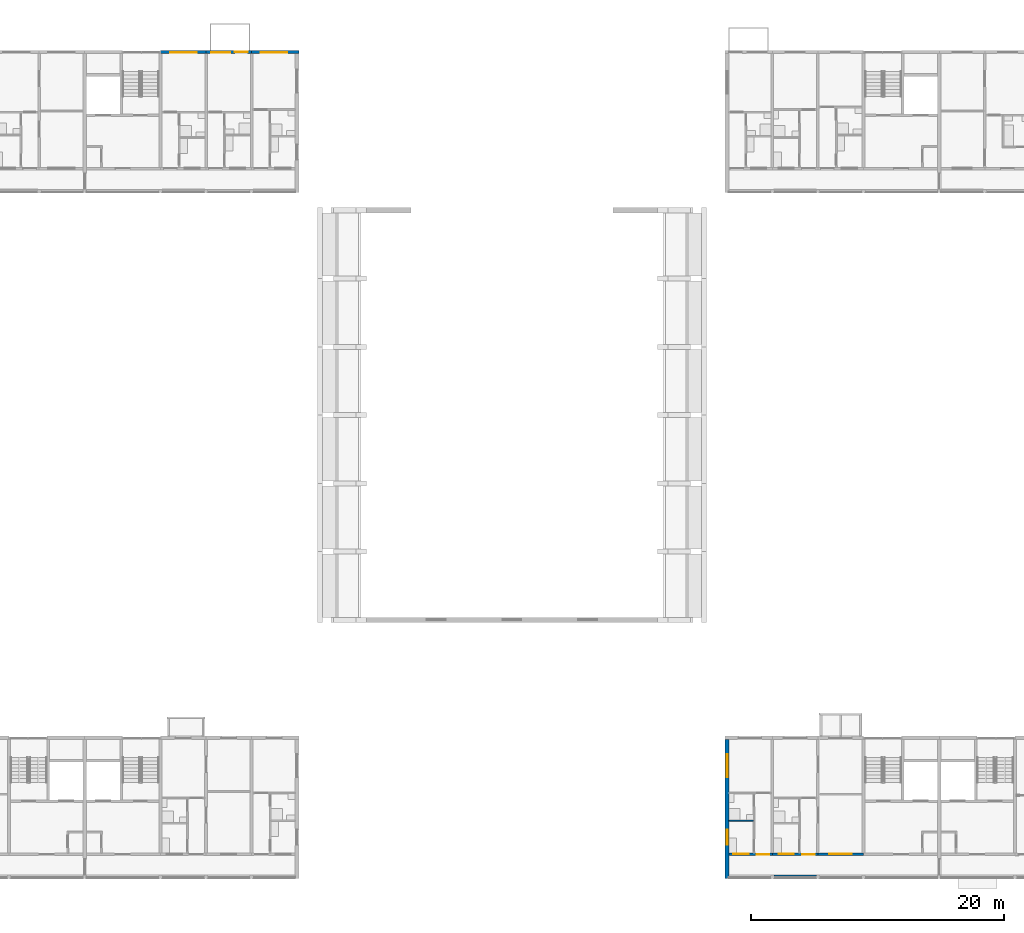
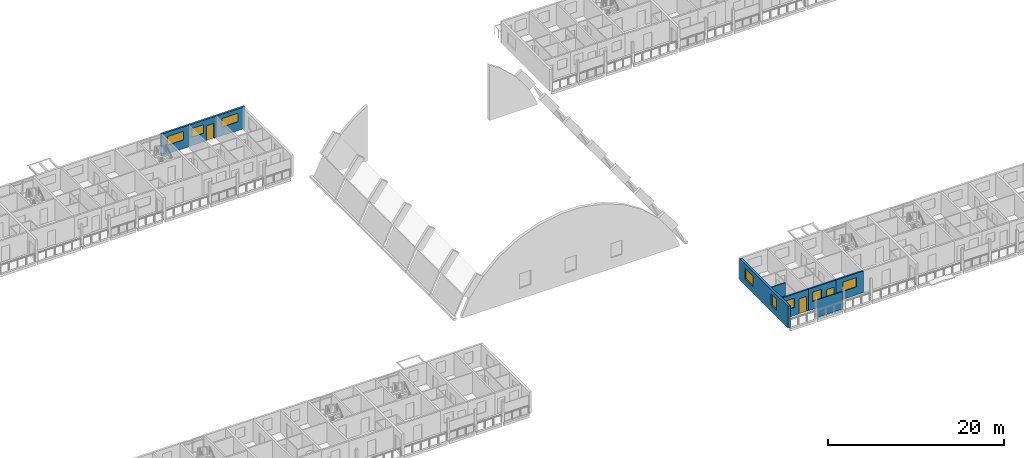
# One storey, part 46 of 100: 9 walls, 8 windows, 3 doors, 11 openings.
"""IFC4 building model written with IfcOpenShell, lengths in metres."""

from ifc_helpers import new_model, si_unit, direction, frame, frame_2d, origin, place, context, subcontext, project, spatial, rectangle, extrude, material, layer, layer_set, type_object, element, fill, save


model = new_model("IFC4")

# Units and contexts
model_context = context("Model", 3, precision=1e-05, world=origin(), true_north=direction((0.0, 1.0)))
body_context = subcontext(model_context, "Body", "Model", "MODEL_VIEW")
ifc_project = project(units=[si_unit("LENGTHUNIT", "METRE"), si_unit("AREAUNIT", "SQUARE_METRE"), si_unit("VOLUMEUNIT", "CUBIC_METRE"), si_unit("PLANEANGLEUNIT", "RADIAN"), si_unit("MASSUNIT", "GRAM", prefix="KILO")], contexts=[model_context])

# Site, building, storey
site_placement = place(None, origin())
site = spatial("IfcSite", under=ifc_project, at=site_placement, CompositionType="ELEMENT")
building_placement = place(site_placement, origin())
building = spatial("IfcBuilding", under=site, at=building_placement, Name="Ridgestep Commons", CompositionType="ELEMENT")
storey_placement = place(building_placement, frame((0.0, 0.0, 9.0)))
storey = spatial("IfcBuildingStorey", under=building, at=storey_placement, Name="L03", CompositionType="ELEMENT", Elevation=9.0)

# Wall, openings, windows
ifc_material_1 = material(Name="Precast concrete C40/50", Category="concrete")
ifc_layer_1 = layer(ifc_material_1, 0.300048828125)
ifc_layer_set_1 = layer_set([ifc_layer_1], Name="Exposed division wall 300")
wall_type_1 = type_object("IfcWallType", Name="Exposed division wall 300", PredefinedType="SHEAR", material=ifc_layer_set_1)
wall_1_placement = place(storey_placement, frame((146.800048828125, 11.75, 0.0), z_axis=(0.0, 0.0, 1.0), x_axis=(0.0, 1.0, 0.0)))
wall_1 = element("IfcWall", 1, at=wall_1_placement, inside=storey, type_object=wall_type_1, Name="Cross wall D-03-1468", PredefinedType="SHEAR", context=body_context, shape_type="SweptSolid", body=[
    extrude(rectangle(XDim=11.0, YDim=0.300048828125, at=frame_2d((5.5, 0.0))), origin(), (0.0, 0.0, 1.0), 3.0),
])
opening_1_placement = place(wall_1_placement, frame((2.64990234375, 0.0, 0.89990234375)))
opening_1 = element("IfcOpeningElement", 2, at=opening_1_placement, cuts=wall_1, Name="Opening W10", PredefinedType="OPENING", context=body_context, shape_type="SweptSolid", body=[
    extrude(rectangle(XDim=1.199951171875, YDim=1.5, at=frame_2d((0.60009765625, 0.75))), frame((0.0, 0.159912109375, 0.0), z_axis=(0.0, -1.0, 0.0), x_axis=(1.0, 0.0, 0.0)), (0.0, 0.0, 1.0), 0.320068359375),
])
opening_2_placement = place(wall_1_placement, frame((8.0048828125, 0.0, 0.89990234375)))
opening_2 = element("IfcOpeningElement", 3, at=opening_2_placement, cuts=wall_1, Name="Opening W20", PredefinedType="OPENING", context=body_context, shape_type="SweptSolid", body=[
    extrude(rectangle(XDim=1.800048828125, YDim=1.5, at=frame_2d((0.89990234375, 0.75))), frame((0.0, 0.159912109375, 0.0), z_axis=(0.0, -1.0, 0.0), x_axis=(1.0, 0.0, 0.0)), (0.0, 0.0, 1.0), 0.320068359375),
])
ifc_material_2 = material(Name="Aluminium 6063-T6 and glass", Category="aluminium")
window_type_1 = type_object("IfcWindowType", Name="Flat window 1200 x 1500", PartitioningType="SINGLE_PANEL", PredefinedType="WINDOW", material=ifc_material_2)
window_1_placement = place(opening_1_placement, origin())
window_1 = element("IfcWindow", 4, at=window_1_placement, inside=storey, type_object=window_type_1, Name="Window D1-03a 3", OverallHeight=1.5, OverallWidth=1.199951171875, PartitioningType="SINGLE_PANEL", PredefinedType="WINDOW", context=body_context, shape_type="SweptSolid", body=[
    extrude(rectangle(XDim=1.199951171875, YDim=1.5, at=frame_2d((0.60009765625, 0.75))), frame((0.0, 0.0, 0.0), z_axis=(0.0, -1.0, 0.0), x_axis=(1.0, 0.0, 0.0)), (0.0, 0.0, 1.0), 0.06005859375),
])
fill(opening_1, window_1)
ifc_material_3 = material(Name="Aluminium 6063-T6 and glass", Category="aluminium")
window_type_2 = type_object("IfcWindowType", Name="Flat window 1800 x 1500", PartitioningType="DOUBLE_PANEL_VERTICAL", PredefinedType="WINDOW", material=ifc_material_3)
window_2_placement = place(opening_2_placement, origin())
window_2 = element("IfcWindow", 5, at=window_2_placement, inside=storey, type_object=window_type_2, Name="Window D1-03a 4", OverallHeight=1.5, OverallWidth=1.800048828125, PartitioningType="SINGLE_PANEL", PredefinedType="WINDOW", context=body_context, shape_type="SweptSolid", body=[
    extrude(rectangle(XDim=1.800048828125, YDim=1.5, at=frame_2d((0.89990234375, 0.75))), frame((0.0, 0.0, 0.0), z_axis=(0.0, -1.0, 0.0), x_axis=(1.0, 0.0, 0.0)), (0.0, 0.0, 1.0), 0.06005859375),
])
fill(opening_2, window_2)

# Wall, opening, window
ifc_material_4 = material(Name="Precast concrete C40/50", Category="concrete")
ifc_layer_2 = layer(ifc_material_4, 0.25)
ifc_layer_set_2 = layer_set([ifc_layer_2], Name="North facade panel 250")
wall_type_2 = type_object("IfcWallType", Name="North facade panel 250", PredefinedType="SOLIDWALL", material=ifc_layer_set_2)
wall_2_placement = place(storey_placement, frame((102.0, 77.125, 0.0), z_axis=(0.0, 0.0, 1.0), x_axis=(1.0, 0.0, 0.0)))
wall_2 = element("IfcWall", 6, at=wall_2_placement, inside=storey, type_object=wall_type_2, Name="North panel B6T3 L03", PredefinedType="SOLIDWALL", context=body_context, shape_type="SweptSolid", body=[
    extrude(rectangle(XDim=3.60009765625, YDim=0.25, at=frame_2d((1.800048828125, 0.0))), origin(), (0.0, 0.0, 1.0), 3.0),
])
opening_3_placement = place(wall_2_placement, frame((0.762451171875, 0.0, 1.199951171875)))
opening_3 = element("IfcOpeningElement", 7, at=opening_3_placement, cuts=wall_2, Name="Opening W22", PredefinedType="OPENING", context=body_context, shape_type="SweptSolid", body=[
    extrude(rectangle(XDim=2.10009765625, YDim=1.199951171875, at=frame_2d((1.050048828125, 0.60009765625))), frame((0.0, 0.135009765625, 0.0), z_axis=(0.0, -1.0, 0.0), x_axis=(1.0, 0.0, 0.0)), (0.0, 0.0, 1.0), 0.27001953125),
])
ifc_material_5 = material(Name="Aluminium 6063-T6 and glass", Category="aluminium")
window_type_3 = type_object("IfcWindowType", Name="Flat window 2100 x 1200", PartitioningType="DOUBLE_PANEL_VERTICAL", PredefinedType="WINDOW", material=ifc_material_5)
window_3_placement = place(opening_3_placement, origin())
window_3 = element("IfcWindow", 8, at=window_3_placement, inside=storey, type_object=window_type_3, Name="Window B6-03c 2", OverallHeight=1.199951171875, OverallWidth=2.10009765625, PartitioningType="SINGLE_PANEL", PredefinedType="WINDOW", context=body_context, shape_type="SweptSolid", body=[
    extrude(rectangle(XDim=2.10009765625, YDim=1.199951171875, at=frame_2d((1.050048828125, 0.60009765625))), frame((0.0, -0.02490234375, 0.0), z_axis=(0.0, -1.0, 0.0), x_axis=(1.0, 0.0, 0.0)), (0.0, 0.0, 1.0), 0.06005859375),
])
fill(opening_3, window_3)

# Wall, openings, door, window
wall_3_placement = place(storey_placement, frame((105.60009765625, 77.125, 0.0), z_axis=(0.0, 0.0, 1.0), x_axis=(1.0, 0.0, 0.0)))
wall_3 = element("IfcWall", 9, at=wall_3_placement, inside=storey, type_object=wall_type_2, Name="North panel B6T2 L03", PredefinedType="SOLIDWALL", context=body_context, shape_type="SweptSolid", body=[
    extrude(rectangle(XDim=3.599853515625, YDim=0.25, at=frame_2d((1.7998046875, 0.0))), origin(), (0.0, 0.0, 1.0), 3.0),
])
opening_4_placement = place(wall_3_placement, frame((0.3935546875, 0.0, 1.199951171875)))
opening_4 = element("IfcOpeningElement", 10, at=opening_4_placement, cuts=wall_3, Name="Opening W13", PredefinedType="OPENING", context=body_context, shape_type="SweptSolid", body=[
    extrude(rectangle(XDim=1.5, YDim=1.199951171875, at=frame_2d((0.75, 0.60009765625))), frame((0.0, 0.135009765625, 0.0), z_axis=(0.0, -1.0, 0.0), x_axis=(1.0, 0.0, 0.0)), (0.0, 0.0, 1.0), 0.27001953125),
])
opening_5_placement = place(wall_3_placement, frame((2.287109375, 0.0, 0.0)))
opening_5 = element("IfcOpeningElement", 11, at=opening_5_placement, cuts=wall_3, Name="Opening B6-03b/5", PredefinedType="OPENING", context=body_context, shape_type="SweptSolid", body=[
    extrude(rectangle(XDim=1.0, YDim=2.10009765625, at=frame_2d((0.5, 1.050048828125))), frame((0.0, 0.135009765625, 0.0), z_axis=(0.0, -1.0, 0.0), x_axis=(1.0, 0.0, 0.0)), (0.0, 0.0, 1.0), 0.27001953125),
])
ifc_material_6 = material(Name="Aluminium and glass", Category="aluminium")
door_type_1 = type_object("IfcDoorType", Name="Balcony door 1000 x 2100", OperationType="NOTDEFINED", PredefinedType="DOOR", material=ifc_material_6)
door_1_placement = place(opening_5_placement, origin())
door_1 = element("IfcDoor", 12, at=door_1_placement, inside=storey, type_object=door_type_1, Name="Balcony door B6-03b/5", OperationType="SINGLE_SWING_LEFT", OverallHeight=2.10009765625, OverallWidth=1.0, PredefinedType="DOOR", context=body_context, shape_type="SweptSolid", body=[
    extrude(rectangle(XDim=1.0, YDim=2.10009765625, at=frame_2d((0.5, 1.050048828125))), frame((0.0, 0.02490234375, 0.0), z_axis=(0.0, -1.0, 0.0), x_axis=(1.0, 0.0, 0.0)), (0.0, 0.0, 1.0), 0.050048828125),
])
fill(opening_5, door_1)
ifc_material_7 = material(Name="Aluminium 6063-T6 and glass", Category="aluminium")
window_type_4 = type_object("IfcWindowType", Name="Flat window 1500 x 1200", PartitioningType="DOUBLE_PANEL_VERTICAL", PredefinedType="WINDOW", material=ifc_material_7)
window_4_placement = place(opening_4_placement, origin())
window_4 = element("IfcWindow", 13, at=window_4_placement, inside=storey, type_object=window_type_4, Name="Window B6-03b 2", OverallHeight=1.199951171875, OverallWidth=1.5, PartitioningType="SINGLE_PANEL", PredefinedType="WINDOW", context=body_context, shape_type="SweptSolid", body=[
    extrude(rectangle(XDim=1.5, YDim=1.199951171875, at=frame_2d((0.75, 0.60009765625))), frame((0.0, -0.02490234375, 0.0), z_axis=(0.0, -1.0, 0.0), x_axis=(1.0, 0.0, 0.0)), (0.0, 0.0, 1.0), 0.06005859375),
])
fill(opening_4, window_4)

# Wall, opening, window
wall_4_placement = place(storey_placement, frame((109.199951171875, 77.125, 0.0), z_axis=(0.0, 0.0, 1.0), x_axis=(1.0, 0.0, 0.0)))
wall_4 = element("IfcWall", 14, at=wall_4_placement, inside=storey, type_object=wall_type_2, Name="North panel B6T1 L03", PredefinedType="SOLIDWALL", context=body_context, shape_type="SweptSolid", body=[
    extrude(rectangle(XDim=3.75, YDim=0.25, at=frame_2d((1.875, 0.0))), origin(), (0.0, 0.0, 1.0), 3.0),
])
opening_6_placement = place(wall_4_placement, frame((0.72509765625, 0.0, 1.199951171875)))
opening_6 = element("IfcOpeningElement", 15, at=opening_6_placement, cuts=wall_4, Name="Opening W22", PredefinedType="OPENING", context=body_context, shape_type="SweptSolid", body=[
    extrude(rectangle(XDim=2.10009765625, YDim=1.199951171875, at=frame_2d((1.050048828125, 0.60009765625))), frame((0.0, 0.135009765625, 0.0), z_axis=(0.0, -1.0, 0.0), x_axis=(1.0, 0.0, 0.0)), (0.0, 0.0, 1.0), 0.27001953125),
])
window_5_placement = place(opening_6_placement, origin())
window_5 = element("IfcWindow", 16, at=window_5_placement, inside=storey, type_object=window_type_3, Name="Window B6-03a 2", OverallHeight=1.199951171875, OverallWidth=2.10009765625, PartitioningType="SINGLE_PANEL", PredefinedType="WINDOW", context=body_context, shape_type="SweptSolid", body=[
    extrude(rectangle(XDim=2.10009765625, YDim=1.199951171875, at=frame_2d((1.050048828125, 0.60009765625))), frame((0.0, -0.02490234375, 0.0), z_axis=(0.0, -1.0, 0.0), x_axis=(1.0, 0.0, 0.0)), (0.0, 0.0, 1.0), 0.06005859375),
])
fill(opening_6, window_5)

# Walls
ifc_material_8 = material(Name="Common brick 110 mm", Category="masonry")
ifc_layer_3 = layer(ifc_material_8, 0.110107421875)
ifc_layer_set_3 = layer_set([ifc_layer_3], Name="Partition 110")
wall_type_3 = type_object("IfcWallType", Name="Partition 110", PredefinedType="PARTITIONING", material=ifc_layer_set_3)
wall_5_placement = place(storey_placement, frame((146.949951171875, 16.304931640625, 0.0), z_axis=(0.0, 0.0, 1.0), x_axis=(1.0, 0.0, 0.0)))
element("IfcWall", 17, at=wall_5_placement, inside=storey, type_object=wall_type_3, Name="Partition D1-03a", PredefinedType="PARTITIONING", context=body_context, shape_type="SweptSolid", body=[
    extrude(rectangle(XDim=1.93994140625, YDim=0.110107421875, at=frame_2d((0.969970703125, 0.0))), origin(), (0.0, 0.0, 1.0), 2.800048828125),
])
ifc_material_9 = material(Name="Precast concrete C30/37", Category="concrete")
ifc_layer_4 = layer(ifc_material_9, 0.10009765625)
ifc_layer_set_4 = layer_set([ifc_layer_4], Name="Perforated gallery screen 3350 x 2450 x 100")
wall_type_4 = type_object("IfcWallType", Name="Perforated gallery screen 3350 x 2450 x 100", PredefinedType="SOLIDWALL", material=ifc_layer_set_4)
wall_6_placement = place(storey_placement, frame((150.52490234375, 11.949951171875, 0.0), z_axis=(0.0, 0.0, 1.0), x_axis=(1.0, 0.0, 0.0)))
element("IfcWall", 18, at=wall_6_placement, inside=storey, type_object=wall_type_4, Name="Gallery screen D1T2 03", PredefinedType="SOLIDWALL", context=body_context, shape_type="SweptSolid", body=[
    extrude(rectangle(XDim=3.35009765625, YDim=0.10009765625, at=frame_2d((1.675048828125, 0.0))), origin(), (0.0, 0.0, 1.0), 2.449951171875),
])

# Wall, openings, door, window
ifc_material_10 = material(Name="Precast concrete C40/50", Category="concrete")
ifc_layer_5 = layer(ifc_material_10, 0.199951171875)
ifc_layer_set_5 = layer_set([ifc_layer_5], Name="South facade panel 200")
wall_type_5 = type_object("IfcWallType", Name="South facade panel 200", PredefinedType="SOLIDWALL", material=ifc_layer_set_5)
wall_7_placement = place(storey_placement, frame((146.949951171875, 13.64990234375, 0.0), z_axis=(0.0, 0.0, 1.0), x_axis=(1.0, 0.0, 0.0)))
wall_7 = element("IfcWall", 19, at=wall_7_placement, inside=storey, type_object=wall_type_5, Name="South panel D1T1 L03", PredefinedType="SOLIDWALL", context=body_context, shape_type="SweptSolid", body=[
    extrude(rectangle(XDim=3.449951171875, YDim=0.199951171875, at=frame_2d((1.72509765625, 0.0))), origin(), (0.0, 0.0, 1.0), 3.0),
])
opening_7_placement = place(wall_7_placement, frame((0.3701171875, 0.0, 1.10009765625)))
opening_7 = element("IfcOpeningElement", 20, at=opening_7_placement, cuts=wall_7, Name="Opening W08", PredefinedType="OPENING", context=body_context, shape_type="SweptSolid", body=[
    extrude(rectangle(XDim=1.199951171875, YDim=1.300048828125, at=frame_2d((0.60009765625, 0.64990234375))), frame((0.0, 0.10986328125, 0.0), z_axis=(0.0, -1.0, 0.0), x_axis=(1.0, 0.0, 0.0)), (0.0, 0.0, 1.0), 0.219970703125),
])
opening_8_placement = place(wall_7_placement, frame((2.199951171875, 0.0, 0.0)))
opening_8 = element("IfcOpeningElement", 21, at=opening_8_placement, cuts=wall_7, Name="Opening D1-03a/1", PredefinedType="OPENING", context=body_context, shape_type="SweptSolid", body=[
    extrude(rectangle(XDim=1.0, YDim=2.10009765625, at=frame_2d((0.5, 1.050048828125))), frame((0.0, 0.10986328125, 0.0), z_axis=(0.0, -1.0, 0.0), x_axis=(1.0, 0.0, 0.0)), (0.0, 0.0, 1.0), 0.219970703125),
])
ifc_material_11 = material(Name="Timber door leaf", Category="wood")
door_type_2 = type_object("IfcDoorType", Name="Flat entrance door 1000 x 2100 FD30S", OperationType="NOTDEFINED", PredefinedType="DOOR", material=ifc_material_11)
door_2_placement = place(opening_8_placement, origin())
door_2 = element("IfcDoor", 22, at=door_2_placement, inside=storey, type_object=door_type_2, Name="Flat entrance door D1-03a/1", OperationType="SINGLE_SWING_RIGHT", OverallHeight=2.10009765625, OverallWidth=1.0, PredefinedType="DOOR", context=body_context, shape_type="SweptSolid", body=[
    extrude(rectangle(XDim=1.0, YDim=2.10009765625, at=frame_2d((0.5, 1.050048828125))), frame((0.0, 0.02490234375, 0.0), z_axis=(0.0, -1.0, 0.0), x_axis=(1.0, 0.0, 0.0)), (0.0, 0.0, 1.0), 0.050048828125),
])
fill(opening_8, door_2)
ifc_material_12 = material(Name="Aluminium 6063-T6 and glass", Category="aluminium")
window_type_5 = type_object("IfcWindowType", Name="Flat window 1200 x 1300", PartitioningType="SINGLE_PANEL", PredefinedType="WINDOW", material=ifc_material_12)
window_6_placement = place(opening_7_placement, origin())
window_6 = element("IfcWindow", 23, at=window_6_placement, inside=storey, type_object=window_type_5, Name="Window D1-03a 1", OverallHeight=1.300048828125, OverallWidth=1.199951171875, PartitioningType="SINGLE_PANEL", PredefinedType="WINDOW", context=body_context, shape_type="SweptSolid", body=[
    extrude(rectangle(XDim=1.199951171875, YDim=1.300048828125, at=frame_2d((0.60009765625, 0.64990234375))), frame((0.0, 0.06005859375, 0.0), z_axis=(0.0, -1.0, 0.0), x_axis=(1.0, 0.0, 0.0)), (0.0, 0.0, 1.0), 0.06005859375),
])
fill(opening_7, window_6)

wall_8_placement = place(storey_placement, frame((150.39990234375, 13.64990234375, 0.0), z_axis=(0.0, 0.0, 1.0), x_axis=(1.0, 0.0, 0.0)))
wall_8 = element("IfcWall", 24, at=wall_8_placement, inside=storey, type_object=wall_type_5, Name="South panel D1T2 L03", PredefinedType="SOLIDWALL", context=body_context, shape_type="SweptSolid", body=[
    extrude(rectangle(XDim=3.60009765625, YDim=0.199951171875, at=frame_2d((1.800048828125, 0.0))), origin(), (0.0, 0.0, 1.0), 3.0),
])
opening_9_placement = place(wall_8_placement, frame((0.4951171875, 0.0, 1.10009765625)))
opening_9 = element("IfcOpeningElement", 25, at=opening_9_placement, cuts=wall_8, Name="Opening W08", PredefinedType="OPENING", context=body_context, shape_type="SweptSolid", body=[
    extrude(rectangle(XDim=1.199951171875, YDim=1.300048828125, at=frame_2d((0.60009765625, 0.64990234375))), frame((0.0, 0.10986328125, 0.0), z_axis=(0.0, -1.0, 0.0), x_axis=(1.0, 0.0, 0.0)), (0.0, 0.0, 1.0), 0.219970703125),
])
opening_10_placement = place(wall_8_placement, frame((2.35009765625, 0.0, 0.0)))
opening_10 = element("IfcOpeningElement", 26, at=opening_10_placement, cuts=wall_8, Name="Opening D1-03b/1", PredefinedType="OPENING", context=body_context, shape_type="SweptSolid", body=[
    extrude(rectangle(XDim=1.0, YDim=2.10009765625, at=frame_2d((0.5, 1.050048828125))), frame((0.0, 0.10986328125, 0.0), z_axis=(0.0, -1.0, 0.0), x_axis=(1.0, 0.0, 0.0)), (0.0, 0.0, 1.0), 0.219970703125),
])
door_3_placement = place(opening_10_placement, origin())
door_3 = element("IfcDoor", 27, at=door_3_placement, inside=storey, type_object=door_type_2, Name="Flat entrance door D1-03b/1", OperationType="SINGLE_SWING_RIGHT", OverallHeight=2.10009765625, OverallWidth=1.0, PredefinedType="DOOR", context=body_context, shape_type="SweptSolid", body=[
    extrude(rectangle(XDim=1.0, YDim=2.10009765625, at=frame_2d((0.5, 1.050048828125))), frame((0.0, 0.02490234375, 0.0), z_axis=(0.0, -1.0, 0.0), x_axis=(1.0, 0.0, 0.0)), (0.0, 0.0, 1.0), 0.050048828125),
])
fill(opening_10, door_3)
window_7_placement = place(opening_9_placement, origin())
window_7 = element("IfcWindow", 28, at=window_7_placement, inside=storey, type_object=window_type_5, Name="Window D1-03b 3", OverallHeight=1.300048828125, OverallWidth=1.199951171875, PartitioningType="SINGLE_PANEL", PredefinedType="WINDOW", context=body_context, shape_type="SweptSolid", body=[
    extrude(rectangle(XDim=1.199951171875, YDim=1.300048828125, at=frame_2d((0.60009765625, 0.64990234375))), frame((0.0, 0.06005859375, 0.0), z_axis=(0.0, -1.0, 0.0), x_axis=(1.0, 0.0, 0.0)), (0.0, 0.0, 1.0), 0.06005859375),
])
fill(opening_9, window_7)

# Wall, opening, window
wall_9_placement = place(storey_placement, frame((154.0, 13.64990234375, 0.0), z_axis=(0.0, 0.0, 1.0), x_axis=(1.0, 0.0, 0.0)))
wall_9 = element("IfcWall", 29, at=wall_9_placement, inside=storey, type_object=wall_type_5, Name="South panel D1T3 L03", PredefinedType="SOLIDWALL", context=body_context, shape_type="SweptSolid", body=[
    extrude(rectangle(XDim=3.60009765625, YDim=0.199951171875, at=frame_2d((1.800048828125, 0.0))), origin(), (0.0, 0.0, 1.0), 3.0),
])
opening_11_placement = place(wall_9_placement, frame((0.887451171875, 0.0, 1.10009765625)))
opening_11 = element("IfcOpeningElement", 30, at=opening_11_placement, cuts=wall_9, Name="Opening W18", PredefinedType="OPENING", context=body_context, shape_type="SweptSolid", body=[
    extrude(rectangle(XDim=1.800048828125, YDim=1.300048828125, at=frame_2d((0.89990234375, 0.64990234375))), frame((0.0, 0.10986328125, 0.0), z_axis=(0.0, -1.0, 0.0), x_axis=(1.0, 0.0, 0.0)), (0.0, 0.0, 1.0), 0.219970703125),
])
ifc_material_13 = material(Name="Aluminium 6063-T6 and glass", Category="aluminium")
window_type_6 = type_object("IfcWindowType", Name="Flat window 1800 x 1300", PartitioningType="DOUBLE_PANEL_VERTICAL", PredefinedType="WINDOW", material=ifc_material_13)
window_8_placement = place(opening_11_placement, origin())
window_8 = element("IfcWindow", 31, at=window_8_placement, inside=storey, type_object=window_type_6, Name="Window D1-03b 1", OverallHeight=1.300048828125, OverallWidth=1.800048828125, PartitioningType="SINGLE_PANEL", PredefinedType="WINDOW", context=body_context, shape_type="SweptSolid", body=[
    extrude(rectangle(XDim=1.800048828125, YDim=1.300048828125, at=frame_2d((0.89990234375, 0.64990234375))), frame((0.0, 0.06005859375, 0.0), z_axis=(0.0, -1.0, 0.0), x_axis=(1.0, 0.0, 0.0)), (0.0, 0.0, 1.0), 0.06005859375),
])
fill(opening_11, window_8)

save(model, "model.ifc")
